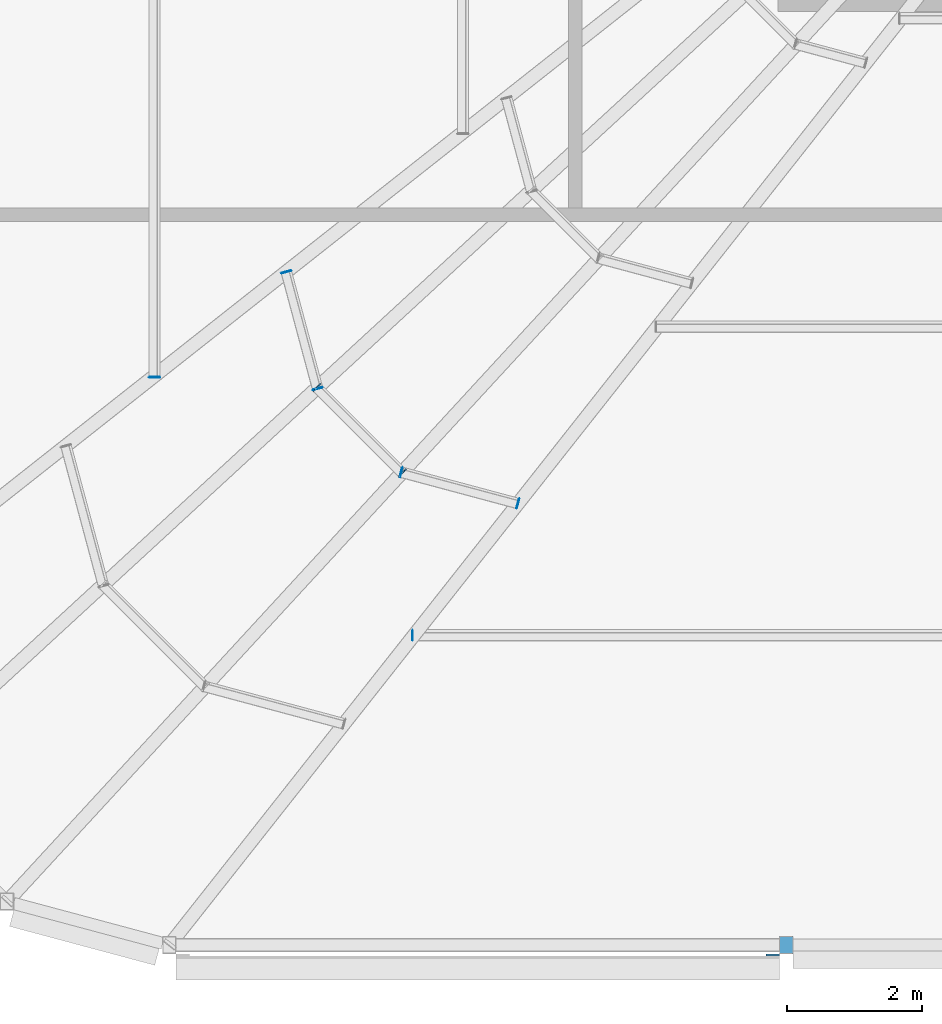
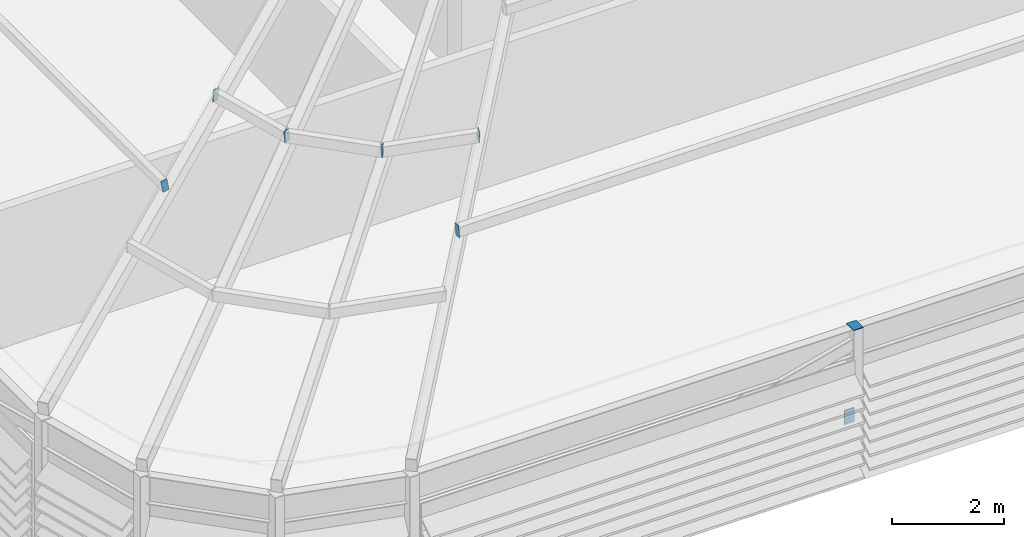
# One storey, part 24 of 46: 10 discrete accessories.
"""IFC4 building model written with IfcOpenShell, lengths in metres."""

from ifc_helpers import new_model, si_unit, direction, frame, origin, origin_2d, place, context, subcontext, project, spatial, rectangle, extrude, material, type_object, element, save


model = new_model("IFC4")

# Units and contexts
model_context = context("Model", 3, precision=1e-05, world=origin(), true_north=direction((0.0, 1.0)))
body_context = subcontext(model_context, "Body", "Model", "MODEL_VIEW")
ifc_project = project(units=[si_unit("LENGTHUNIT", "METRE"), si_unit("AREAUNIT", "SQUARE_METRE"), si_unit("VOLUMEUNIT", "CUBIC_METRE"), si_unit("PLANEANGLEUNIT", "RADIAN"), si_unit("MASSUNIT", "GRAM", prefix="KILO")], contexts=[model_context])

# Site, building, storey
site_placement = place(None, origin())
site = spatial("IfcSite", under=ifc_project, at=site_placement, CompositionType="ELEMENT")
building_placement = place(site_placement, origin())
building = spatial("IfcBuilding", under=site, at=building_placement, Name="Madar Terraces", CompositionType="ELEMENT")
storey_placement = place(building_placement, frame((0.0, 0.0, 317.300048828125)))
storey = spatial("IfcBuildingStorey", under=building, at=storey_placement, Name="L82", CompositionType="ELEMENT", Elevation=317.300048828125)

# Discrete accessories
ifc_material_1 = material(Name="Steel plate ASTM A36, galvanised", Category="steel")
discrete_accessory_type_1 = type_object("IfcDiscreteAccessoryType", Name="Hollow section end plate", PredefinedType="BRACKET", material=ifc_material_1)
for number, where, z_axis, x_axis, name in (
    (1, (9.60009765625, 5.781982421875, 4.22900390625), (-1.0, 0.0, 0.0), (0.0, -0.984957023705, 0.172799483372), "Hollow section end plate"),
    (2, (5.781982421875, 9.60009765625, 4.22900390625), (0.0, -1.0, 0.0), (0.984957023705, 0.0, 0.172799483372), "Hollow section end plate"),
    (3, (7.730712890625, 11.147216796875, 4.5712890625), (-0.261415475728, 0.96522637192, 0.0), (-0.956510055821, -0.259054806785, 0.13408624163), "Hollow section end plate"),
):
    element("IfcDiscreteAccessory", number, at=place(storey_placement, frame(where, z_axis=z_axis, x_axis=x_axis)), inside=storey, type_object=discrete_accessory_type_1, Name=name, PredefinedType="BRACKET", context=body_context, shape_type="SweptSolid", body=[
        extrude(rectangle(XDim=0.126953125, YDim=0.25390625, at=origin_2d()), origin(), (0.0, 0.0, 1.0), 0.01220703125),
    ])
for number, where, z_axis, x_axis, name in (
    (4, (8.190185546875, 9.432861328125, 4.5712890625), (0.247383245266, -0.968917710624, 0.0), (0.960168060506, 0.245149292044, 0.13408624163), "Hollow section end plate"),
    (5, (8.185546875, 9.4404296875, 4.571044921875), (-0.707106781187, 0.707106781187, 0.0), (-0.700941463334, -0.700941463334, 0.131765435371), "Hollow section end plate"),
    (6, (9.4404296875, 8.185546875, 4.571044921875), (0.707106781187, -0.707106781187, 0.0), (0.700941463334, 0.700941463334, 0.131765435371), "Hollow section end plate"),
    (7, (9.432861328125, 8.190185546875, 4.5712890625), (-0.968917710624, 0.247383245266, 0.0), (-0.245149292044, -0.960168060506, 0.13408624163), "Hollow section end plate"),
):
    element("IfcDiscreteAccessory", number, at=place(storey_placement, frame(where, z_axis=z_axis, x_axis=x_axis)), inside=storey, type_object=discrete_accessory_type_1, Name=name, PredefinedType="BRACKET", context=body_context, shape_type="SweptSolid", body=[
        extrude(rectangle(XDim=0.126953125, YDim=0.25390625, at=origin_2d()), origin(), (0.0, 0.0, 1.0), 0.011962890625),
    ])
discrete_accessory_1_placement = place(storey_placement, frame((11.147216796875, 7.730712890625, 4.5712890625), z_axis=(0.96522637192, -0.261415475728, 0.0), x_axis=(0.259054806785, 0.956510055821, 0.13408624163)))
element("IfcDiscreteAccessory", 8, at=discrete_accessory_1_placement, inside=storey, type_object=discrete_accessory_type_1, Name="Hollow section end plate", PredefinedType="BRACKET", context=body_context, shape_type="SweptSolid", body=[
    extrude(rectangle(XDim=0.126953125, YDim=0.25390625, at=origin_2d()), origin(), (0.0, 0.0, 1.0), 0.01220703125),
])
discrete_accessory_2_placement = place(storey_placement, frame((15.1201171875, 1.199951171875, 3.0), z_axis=(0.0, 0.0, 1.0), x_axis=(1.0, 0.0, 0.0)))
element("IfcDiscreteAccessory", 9, at=discrete_accessory_2_placement, inside=storey, type_object=discrete_accessory_type_1, Name="Hollow section end plate", PredefinedType="BRACKET", context=body_context, shape_type="SweptSolid", body=[
    extrude(rectangle(XDim=0.203125, YDim=0.25390625, at=origin_2d()), origin(), (0.0, 0.0, 1.0), 0.011962890625),
])
ifc_material_2 = material(Name="Steel, galvanised", Category="steel")
discrete_accessory_type_2 = type_object("IfcDiscreteAccessoryType", Name="Louvre bank bracket", PredefinedType="BRACKET", material=ifc_material_2)
discrete_accessory_3_placement = place(storey_placement, frame((14.91845703125, 1.05810546875, 1.048828125), z_axis=(0.0, 0.0, 1.0), x_axis=(1.0, 0.0, 0.0)))
element("IfcDiscreteAccessory", 10, at=discrete_accessory_3_placement, inside=storey, type_object=discrete_accessory_type_2, Name="Louvre bank bracket", PredefinedType="BRACKET", context=body_context, shape_type="SweptSolid", body=[
    extrude(rectangle(XDim=0.199951171875, YDim=0.030029296875, at=origin_2d()), origin(), (0.0, 0.0, 1.0), 0.300048828125),
])

save(model, "model.ifc")
